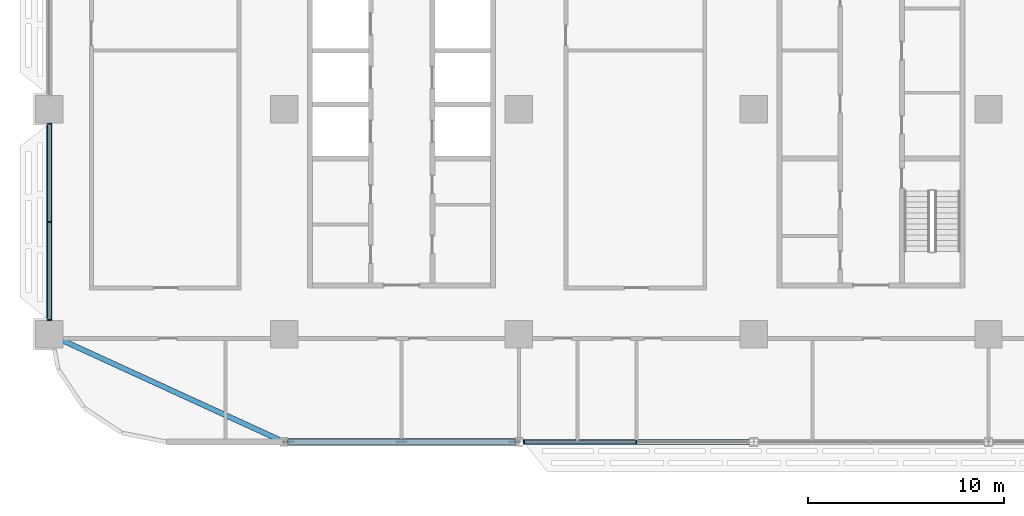
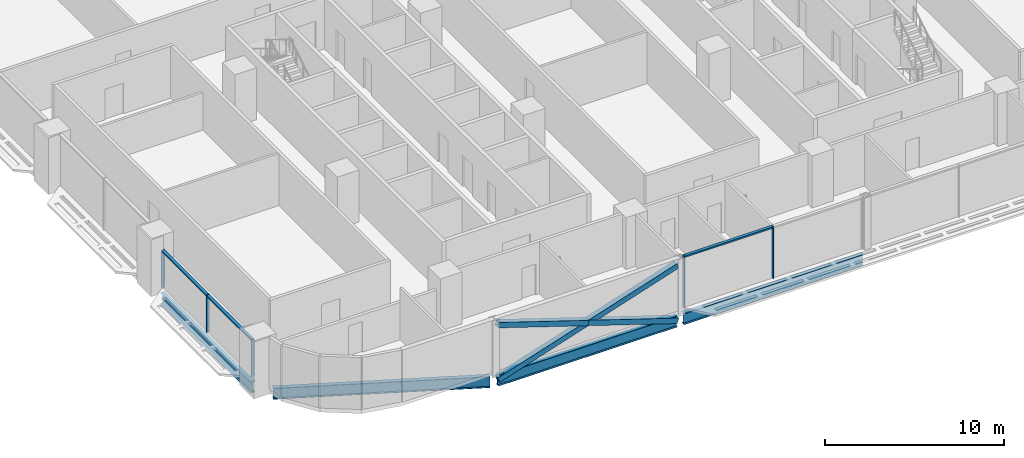
# One storey, part 3 of 29: 11 members, 4 beams, 2 elements without a shape of their own.
"""IFC4 building model written with IfcOpenShell, lengths in metres."""

import ifcopenshell
import ifcopenshell.guid

model = None  # the IFC model being written
_history = None  # IfcOwnerHistory: only IFC2X3 demands one
_inside = {}  # id of a spatial element -> (the spatial element, [elements in it])
_under = {}  # id of a project, library or spatial element -> (it, [spatial elements below it])
_declared = {}  # id of a project -> (the project, [libraries it declares])
_typed = {}  # id of a type object -> (the type object, [elements of that type])
_made_of = {}  # id of a material, layer set ... -> (it, [elements and type objects made of it])


def new_model(schema):
    """Start an empty IFC model of exactly this schema.

    Asked for "IFC4X3", IfcOpenShell would pick the latest addendum, in which some entities
    have other attributes; the version numbers below select the first issue.
    IFC2X3 requires an IfcOwnerHistory on every rooted entity: one is made here for all.
    """
    global model, _history
    if schema == "IFC4X3":
        model = ifcopenshell.file(schema_version=(4, 3, 0, 0))
    else:
        model = ifcopenshell.file(schema=schema)
    _inside.clear()
    _under.clear()
    _declared.clear()
    _typed.clear()
    _made_of.clear()
    _history = None
    if model.schema == "IFC2X3":
        org = make("IfcOrganization", Name="unknown")
        user = make(
            "IfcPersonAndOrganization",
            ThePerson=make("IfcPerson", FamilyName="unknown"),
            TheOrganization=org,
        )
        app = make(
            "IfcApplication",
            ApplicationDeveloper=org,
            Version="unknown",
            ApplicationFullName="unknown",
            ApplicationIdentifier="unknown",
        )
        _history = make(
            "IfcOwnerHistory",
            OwningUser=user,
            OwningApplication=app,
            ChangeAction="ADDED",
            CreationDate=0,
        )
    return model


def make(cls, **values):
    """One entity of the class cls with the attributes given. An attribute that is None is left unset."""
    return model.create_entity(
        cls, **{name: value for name, value in values.items() if value is not None}
    )


def rooted(cls, **values):
    """An entity with a GlobalId (a new one), such as an element, a storey or a relation."""
    return make(cls, GlobalId=ifcopenshell.guid.new(), OwnerHistory=_history, **values)


def si_unit(unit_type, name, prefix=None):
    """IfcSIUnit, for example si_unit("LENGTHUNIT", "METRE", prefix="MILLI")."""
    return make("IfcSIUnit", UnitType=unit_type, Prefix=prefix, Name=name)


def assignment(units):
    """IfcUnitAssignment: the units of a project."""
    return None if units is None else make("IfcUnitAssignment", Units=units)


def point(xyz):
    """IfcCartesianPoint."""
    return None if xyz is None else make("IfcCartesianPoint", Coordinates=xyz)


def direction(xyz):
    """IfcDirection."""
    return None if xyz is None else make("IfcDirection", DirectionRatios=xyz)


def frame(location, z_axis=None, x_axis=None):
    """IfcAxis2Placement3D, a coordinate frame: its origin and axes. An axis left out is left unset."""
    return make(
        "IfcAxis2Placement3D",
        Location=point(location),
        Axis=direction(z_axis),
        RefDirection=direction(x_axis),
    )


def frame_2d(location, x_axis=None):
    """IfcAxis2Placement2D, a coordinate frame in the plane: its origin and x axis."""
    return make(
        "IfcAxis2Placement2D", Location=point(location), RefDirection=direction(x_axis)
    )


def origin():
    """The frame at (0, 0, 0) with its axes left unset."""
    return frame((0.0, 0.0, 0.0))


def origin_2d():
    """The frame at (0, 0) in the plane with its x axis left unset."""
    return frame_2d((0.0, 0.0))


def place(relative_to, where):
    """IfcLocalPlacement: puts the frame where relative to a parent placement (None: the world)."""
    return make(
        "IfcLocalPlacement", PlacementRelTo=relative_to, RelativePlacement=where
    )


def context(
    kind, dimensions, precision=None, world=None, true_north=None, identifier=None
):
    """IfcGeometricRepresentationContext, for example the 3D "Model" context."""
    return make(
        "IfcGeometricRepresentationContext",
        ContextIdentifier=identifier,
        ContextType=kind,
        CoordinateSpaceDimension=dimensions,
        Precision=precision,
        WorldCoordinateSystem=world,
        TrueNorth=true_north,
    )


def subcontext(parent, identifier, kind, view, scale=None):
    """IfcGeometricRepresentationSubContext, for example "Body" below "Model"."""
    return make(
        "IfcGeometricRepresentationSubContext",
        ContextIdentifier=identifier,
        ContextType=kind,
        ParentContext=parent,
        TargetScale=scale,
        TargetView=view,
    )


def project(units=None, contexts=None):
    """IfcProject with its units and contexts."""
    return rooted(
        "IfcProject",
        Name="project",
        RepresentationContexts=contexts,
        UnitsInContext=assignment(units),
    )


def spatial(cls, under=None, at=None, **own):
    """A site, building, storey or space (cls), placed at a placement, below another one or the project."""
    s = rooted(cls, ObjectPlacement=at, **own)
    if under is not None:
        _under.setdefault(under.id(), (under, []))[1].append(s)
    return s


def profile(cls, at=None, kind="AREA", **sizes):
    """A parametric profile (cls). Its sizes go by their IFC names, for example OverallWidth=200.0."""
    return make(cls, ProfileType=kind, Position=at, **sizes)


def rectangle(**sizes):
    """IfcRectangleProfileDef."""
    return profile("IfcRectangleProfileDef", **sizes)


def hollow_rectangle(**sizes):
    """IfcRectangleHollowProfileDef."""
    return profile("IfcRectangleHollowProfileDef", **sizes)


def i_section(**sizes):
    """IfcIShapeProfileDef."""
    return profile("IfcIShapeProfileDef", **sizes)


def extrude(swept, where, along, depth):
    """IfcExtrudedAreaSolid: the profile swept, set in the frame where, extruded along a direction by depth."""
    return make(
        "IfcExtrudedAreaSolid",
        SweptArea=swept,
        Position=where,
        ExtrudedDirection=direction(along),
        Depth=depth,
    )


def shape(context_of_items, identifier, shape_type, items):
    """IfcShapeRepresentation: the items that make up one representation, for example the "Body"."""
    return make(
        "IfcShapeRepresentation",
        ContextOfItems=context_of_items,
        RepresentationIdentifier=identifier,
        RepresentationType=shape_type,
        Items=items,
    )


def material(Name=None, Category=None):
    """IfcMaterial."""
    return make("IfcMaterial", Name=Name, Category=Category)


def material_profile(
    of_material, cross_section, Name=None, Category=None, Priority=None
):
    """IfcMaterialProfile: a cross section and its material."""
    return make(
        "IfcMaterialProfile",
        Name=Name,
        Material=of_material,
        Profile=cross_section,
        Priority=Priority,
        Category=Category,
    )


def profile_set(profiles, Name=None, composite=None):
    """IfcMaterialProfileSet."""
    return make(
        "IfcMaterialProfileSet",
        Name=Name,
        MaterialProfiles=profiles,
        CompositeProfile=composite,
    )


def made_of(thing, what):
    """Note that an element or type object is made of a material, layer set ...; save() writes the relation."""
    if what is not None:
        _made_of.setdefault(what.id(), (what, []))[1].append(thing)
    return thing


def type_object(cls, material=None, **own):
    """A type object (cls), such as IfcWallType, which elements share."""
    return made_of(rooted(cls, **own), material)


def element(
    cls,
    number,
    at=None,
    inside=None,
    cuts=None,
    type_object=None,
    material=None,
    context=None,
    identifier="Body",
    shape_type=None,
    held_by="IfcProductDefinitionShape",
    body=None,
    shapes=None,
    **own,
):
    """One element of the class cls, such as IfcWall. Its Tag is "e" and its number.

    at: its placement. inside: the storey or other place that contains it. cuts: it is an
    opening in that element (IfcRelVoidsElement). A single representation is given by context,
    identifier, shape_type and body (its items); several are given by shapes. held_by: the class
    of the entity that holds the representations. save() writes the other relations.
    """
    e = rooted(cls, Tag="e%d" % number, ObjectPlacement=at, **own)
    if body is not None:
        shapes = [shape(context, identifier, shape_type, body)]
    if shapes is not None:
        e.Representation = make(held_by, Representations=shapes)
    if inside is not None:
        _inside.setdefault(inside.id(), (inside, []))[1].append(e)
    if cuts is not None:
        rooted(
            "IfcRelVoidsElement", RelatingBuildingElement=cuts, RelatedOpeningElement=e
        )
    if type_object is not None:
        _typed.setdefault(type_object.id(), (type_object, []))[1].append(e)
    return made_of(e, material)


def aggregate(whole, parts):
    """IfcRelAggregates: a whole, such as a stair, and the parts it consists of."""
    return rooted("IfcRelAggregates", RelatingObject=whole, RelatedObjects=parts)


def save(model, path):
    """Write the relations noted so far, then the file.

    IfcRelAggregates (storeys below a building ...), IfcRelContainedInSpatialStructure (elements
    in a storey), IfcRelDefinesByType, IfcRelAssociatesMaterial and IfcRelDeclares: one each for
    every whole, place, type object, material and project.
    """
    for whole, parts in _under.values():
        aggregate(whole, parts)
    for where, things in _inside.values():
        rooted(
            "IfcRelContainedInSpatialStructure",
            RelatedElements=things,
            RelatingStructure=where,
        )
    for kind, things in _typed.values():
        rooted("IfcRelDefinesByType", RelatedObjects=things, RelatingType=kind)
    for what, things in _made_of.values():
        rooted("IfcRelAssociatesMaterial", RelatedObjects=things, RelatingMaterial=what)
    for by, libraries in _declared.values():
        rooted("IfcRelDeclares", RelatingContext=by, RelatedDefinitions=libraries)
    model.write(path)


model = new_model("IFC4")

# Units and contexts
model_context = context("Model", 3, precision=1e-05, world=origin(), true_north=direction((0.0, 1.0)))
body_context = subcontext(model_context, "Body", "Model", "MODEL_VIEW")
ifc_project = project(units=[si_unit("LENGTHUNIT", "METRE"), si_unit("AREAUNIT", "SQUARE_METRE"), si_unit("VOLUMEUNIT", "CUBIC_METRE"), si_unit("PLANEANGLEUNIT", "RADIAN"), si_unit("MASSUNIT", "GRAM", prefix="KILO")], contexts=[model_context])

# Site, building, storey
site_placement = place(None, origin())
site = spatial("IfcSite", under=ifc_project, at=site_placement, CompositionType="ELEMENT")
building_placement = place(site_placement, origin())
building = spatial("IfcBuilding", under=site, at=building_placement, Name="Mahtab Terrace Research Tower", CompositionType="ELEMENT")
storey_placement = place(building_placement, frame((0.0, 0.0, 113.5)))
storey = spatial("IfcBuildingStorey", under=building, at=storey_placement, Name="L26", CompositionType="ELEMENT", Elevation=113.5)

# Members
ifc_material_1 = material(Name="Steel ASTM A500 Gr C", Category="steel")
ifc_material_profile_1 = material_profile(ifc_material_1, hollow_rectangle(XDim=0.355712890625, YDim=0.355712890625, WallThickness=0.01904296875, at=origin_2d()), Name="HSS14X14X3/4")
ifc_profile_set_1 = profile_set([ifc_material_profile_1], Name="Steel ASTM A500 Gr C")
member_type_1 = type_object("IfcMemberType", Name="HSS 14x14x3/4 brace XB141434", PredefinedType="BRACE", material=ifc_profile_set_1)
member_1_placement = place(storey_placement, frame((-29.79052734375, -17.0, -0.650634765625), z_axis=(0.951267820326, 0.0, 0.308365909291), x_axis=(0.0, 1.0, 0.0)))
element("IfcMember", 1, at=member_1_placement, inside=storey, type_object=member_type_1, Name="Exoskeleton brace L26 13 a", PredefinedType="BRACE", context=body_context, shape_type="SweptSolid", body=[
    extrude(hollow_rectangle(XDim=0.355712890625, YDim=0.355712890625, WallThickness=0.01904296875, at=origin_2d()), origin(), (0.0, 0.0, 1.0), 12.17431640625),
])
for number, where, z_axis, x_axis, name in (
    (2, (-18.20947265625, -17.0, -0.650634765625), (-0.951261937662, 0.0, 0.308384055936), (0.0, -1.0, 0.0), "Exoskeleton brace L26 13 b1"),
    (3, (-24.0, -17.0, 1.2265625), (-0.951273702716, 0.0, 0.30834776231), (0.0, -1.0, 0.0), "Exoskeleton brace L26 13 b2"),
):
    element("IfcMember", number, at=place(storey_placement, frame(where, z_axis=z_axis, x_axis=x_axis)), inside=storey, type_object=member_type_1, Name=name, PredefinedType="BRACE", context=body_context, shape_type="SweptSolid", body=[
        extrude(hollow_rectangle(XDim=0.355712890625, YDim=0.355712890625, WallThickness=0.01904296875, at=origin_2d()), origin(), (0.0, 0.0, 1.0), 6.087158203125),
    ])

# Curtain wall, members
ifc_material_2 = material(Name="Laboratory ribbon curtain wall")
curtain_wall_type = type_object("IfcCurtainWallType", Name="Laboratory ribbon curtain wall", PredefinedType="NOTDEFINED", material=ifc_material_2)
curtain_wall_1_placement = place(storey_placement, origin())
curtain_wall_1 = element("IfcCurtainWall", 4, at=curtain_wall_1_placement, inside=storey, type_object=curtain_wall_type, Name="EN.L26.8.18", PredefinedType="NOTDEFINED")
ifc_material_3 = material(Name="Natural anodised aluminium", Category="aluminium")
ifc_material_profile_2 = material_profile(ifc_material_3, rectangle(XDim=0.199951171875, YDim=0.06494140625, at=origin_2d()), Name="MULLION 65x200")
ifc_profile_set_2 = profile_set([ifc_material_profile_2], Name="Natural anodised aluminium")
member_type_2 = type_object("IfcMemberType", Name="Laboratory ribbon curtain wall mullion", PredefinedType="MULLION", material=ifc_profile_set_2)
member_2_placement = place(storey_placement, frame((-42.0, -0.732421875, 0.0), z_axis=(0.0, 0.0, 1.0), x_axis=(1.0, 0.0, 0.0)))
member_2 = element("IfcMember", 5, at=member_2_placement, type_object=member_type_2, Name="CWL-3 mullion 1", PredefinedType="MULLION", context=body_context, shape_type="SweptSolid", body=[
    extrude(rectangle(XDim=0.199951171875, YDim=0.06494140625, at=origin_2d()), origin(), (0.0, 0.0, 1.0), 2.55126953125),
])
member_3_placement = place(storey_placement, frame((-42.0, -5.75, 0.0), z_axis=(0.0, 0.0, 1.0), x_axis=(1.0, 0.0, 0.0)))
member_3 = element("IfcMember", 6, at=member_3_placement, type_object=member_type_2, Name="CWL-3 mullion 2", PredefinedType="MULLION", context=body_context, shape_type="SweptSolid", body=[
    extrude(rectangle(XDim=0.199951171875, YDim=0.06494140625, at=origin_2d()), origin(), (0.0, 0.0, 1.0), 2.55126953125),
])
member_4_placement = place(storey_placement, frame((-42.0, -10.767578125, 0.0), z_axis=(0.0, 0.0, 1.0), x_axis=(1.0, 0.0, 0.0)))
member_4 = element("IfcMember", 7, at=member_4_placement, type_object=member_type_2, Name="CWL-3 mullion 3", PredefinedType="MULLION", context=body_context, shape_type="SweptSolid", body=[
    extrude(rectangle(XDim=0.199951171875, YDim=0.06494140625, at=origin_2d()), origin(), (0.0, 0.0, 1.0), 2.55126953125),
])

curtain_wall_2_placement = place(storey_placement, origin())
curtain_wall_2 = element("IfcCurtainWall", 8, at=curtain_wall_2_placement, inside=storey, type_object=curtain_wall_type, Name="EN.L26.13.25", PredefinedType="NOTDEFINED")
member_5_placement = place(storey_placement, frame((-17.739501953125, -17.0, 0.0), z_axis=(0.0, 0.0, 1.0), x_axis=(0.0, 1.0, 0.0)))
member_5 = element("IfcMember", 9, at=member_5_placement, type_object=member_type_2, Name="CWL-3 mullion 1", PredefinedType="MULLION", context=body_context, shape_type="SweptSolid", body=[
    extrude(rectangle(XDim=0.199951171875, YDim=0.06494140625, at=origin_2d()), origin(), (0.0, 0.0, 1.0), 3.550048828125),
])
member_6_placement = place(storey_placement, frame((-12.0, -17.0, 0.0), z_axis=(0.0, 0.0, 1.0), x_axis=(0.0, 1.0, 0.0)))
member_6 = element("IfcMember", 10, at=member_6_placement, type_object=member_type_2, Name="CWL-3 mullion 2", PredefinedType="MULLION", context=body_context, shape_type="SweptSolid", body=[
    extrude(rectangle(XDim=0.199951171875, YDim=0.06494140625, at=origin_2d()), origin(), (0.0, 0.0, 1.0), 3.550048828125),
])

# Member
ifc_material_profile_3 = material_profile(ifc_material_3, rectangle(XDim=0.199951171875, YDim=0.10009765625, at=origin_2d()), Name="TRANSOM 100x200")
ifc_profile_set_3 = profile_set([ifc_material_profile_3], Name="Natural anodised aluminium")
member_type_3 = type_object("IfcMemberType", Name="Laboratory ribbon curtain wall transom", PredefinedType="USERDEFINED", material=ifc_profile_set_3)
member_7_placement = place(storey_placement, frame((-42.0, -0.764892578125, 2.501220703125), z_axis=(0.0, -1.0, 0.0), x_axis=(1.0, 0.0, 0.0)))
member_7 = element("IfcMember", 11, at=member_7_placement, type_object=member_type_3, Name="CWL-3 transom 1", ObjectType="TRANSOM", PredefinedType="USERDEFINED", context=body_context, shape_type="SweptSolid", body=[
    extrude(rectangle(XDim=0.199951171875, YDim=0.10009765625, at=origin_2d()), origin(), (0.0, 0.0, 1.0), 4.95263671875),
])

member_8_placement = place(storey_placement, frame((-42.0, -5.782470703125, 2.501220703125), z_axis=(0.0, -1.0, 0.0), x_axis=(1.0, 0.0, 0.0)))
member_8 = element("IfcMember", 12, at=member_8_placement, type_object=member_type_3, Name="CWL-3 transom 2", ObjectType="TRANSOM", PredefinedType="USERDEFINED", context=body_context, shape_type="SweptSolid", body=[
    extrude(rectangle(XDim=0.199951171875, YDim=0.10009765625, at=origin_2d()), origin(), (0.0, 0.0, 1.0), 4.95263671875),
])

aggregate(curtain_wall_1, [member_2, member_3, member_4, member_7, member_8])

member_9_placement = place(storey_placement, frame((-17.70703125, -17.0, 3.5), z_axis=(1.0, 0.0, 0.0), x_axis=(0.0, 1.0, 0.0)))
member_9 = element("IfcMember", 13, at=member_9_placement, type_object=member_type_3, Name="CWL-3 transom 1", ObjectType="TRANSOM", PredefinedType="USERDEFINED", context=body_context, shape_type="SweptSolid", body=[
    extrude(rectangle(XDim=0.199951171875, YDim=0.10009765625, at=origin_2d()), origin(), (0.0, 0.0, 1.0), 5.674560546875),
])

aggregate(curtain_wall_2, [member_5, member_6, member_9])

# Beams
ifc_material_4 = material(Name="Steel ASTM A992 Gr 50", Category="steel")
ifc_material_profile_4 = material_profile(ifc_material_4, i_section(OverallWidth=0.2666015625, OverallDepth=0.7568359375, WebThickness=0.013916015625, FlangeThickness=0.019287109375, at=origin_2d()), Name="W30X108")
ifc_profile_set_4 = profile_set([ifc_material_profile_4], Name="Steel ASTM A992 Gr 50")
beam_type = type_object("IfcBeamType", Name="W30x108 beam BS30108", PredefinedType="BEAM", material=ifc_profile_set_4)
beam_1_placement = place(storey_placement, frame((-42.0, -0.699951171875, -0.718505859375), z_axis=(0.0, -1.0, 0.0), x_axis=(1.0, 0.0, 0.0)))
element("IfcBeam", 14, at=beam_1_placement, inside=storey, type_object=beam_type, Name="Spandrel beam L26 11", PredefinedType="BEAM", context=body_context, shape_type="SweptSolid", body=[
    extrude(i_section(OverallWidth=0.2666015625, OverallDepth=0.7568359375, WebThickness=0.013916015625, FlangeThickness=0.019287109375, at=origin_2d()), origin(), (0.0, 0.0, 1.0), 10.10009765625),
])
beam_2_placement = place(storey_placement, frame((-41.300048828125, -11.82080078125, -0.718505859375), z_axis=(0.909062612141, -0.41665953392, 0.0), x_axis=(0.41665953392, 0.909062612141, 0.0)))
element("IfcBeam", 15, at=beam_2_placement, inside=storey, type_object=beam_type, Name="Spandrel beam L26 12", PredefinedType="BEAM", context=body_context, shape_type="SweptSolid", body=[
    extrude(i_section(OverallWidth=0.2666015625, OverallDepth=0.7568359375, WebThickness=0.013916015625, FlangeThickness=0.019287109375, at=origin_2d()), origin(), (0.0, 0.0, 1.0), 12.199951171875),
])
for number, where, z_axis, x_axis, name in (
    (16, (-29.79052734375, -17.0, -0.718505859375), (1.0, 0.0, 0.0), (0.0, 1.0, 0.0), "Spandrel beam L26 13"),
    (17, (-17.79052734375, -17.0, -0.718505859375), (1.0, 0.0, 0.0), (0.0, 1.0, 0.0), "Spandrel beam L26 14"),
):
    element("IfcBeam", number, at=place(storey_placement, frame(where, z_axis=z_axis, x_axis=x_axis)), inside=storey, type_object=beam_type, Name=name, PredefinedType="BEAM", context=body_context, shape_type="SweptSolid", body=[
        extrude(i_section(OverallWidth=0.2666015625, OverallDepth=0.7568359375, WebThickness=0.013916015625, FlangeThickness=0.019287109375, at=origin_2d()), origin(), (0.0, 0.0, 1.0), 11.5810546875),
    ])

save(model, "model.ifc")
